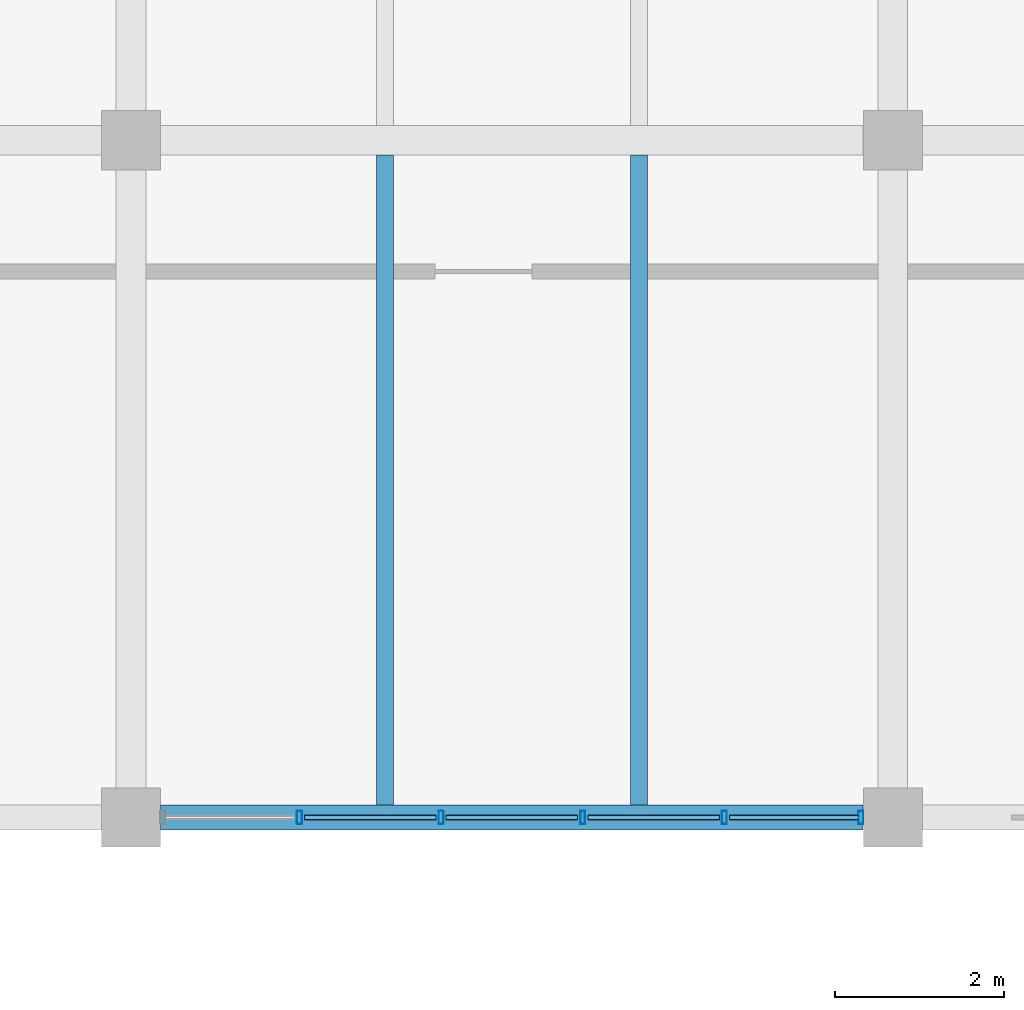
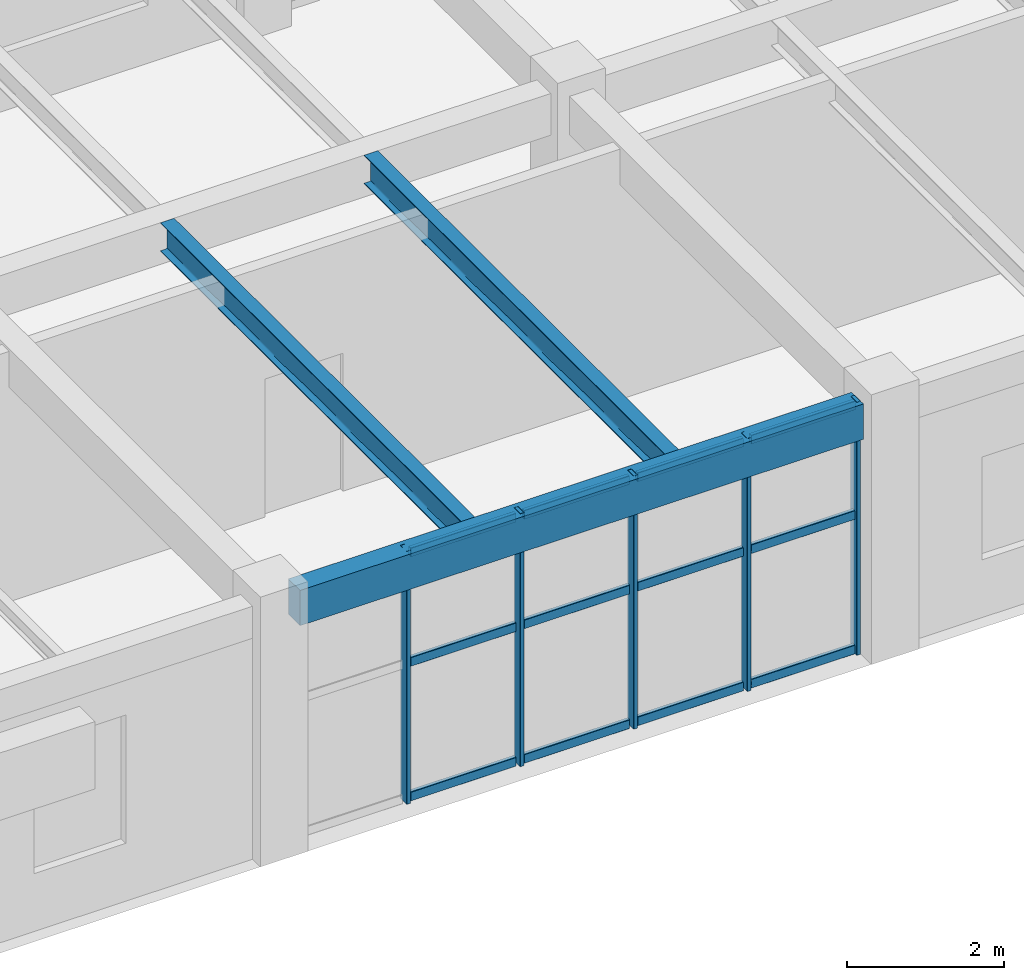
# One storey, part 85 of 128: 17 members, 3 beams, 1 element without a shape of its own.
"""IFC4 building model written with IfcOpenShell, lengths in metres."""

from ifc_helpers import new_model, si_unit, derived_unit, direction, frame, origin, origin_2d, place, context, subcontext, project, spatial, rectangle, hollow_rectangle, i_section, extrude, material, material_profile, profile_set, type_object, element, aggregate, save


model = new_model("IFC4")

# Units and contexts
model_context = context("Model", 3, precision=1e-05, world=origin(), true_north=direction((0.0, 1.0)))
body_context = subcontext(model_context, "Body", "Model", "MODEL_VIEW")
ifc_project = project(units=[si_unit("LENGTHUNIT", "METRE"), si_unit("AREAUNIT", "SQUARE_METRE"), si_unit("VOLUMEUNIT", "CUBIC_METRE"), si_unit("PLANEANGLEUNIT", "RADIAN"), si_unit("MASSUNIT", "GRAM", prefix="KILO"), derived_unit("THERMALTRANSMITTANCEUNIT", [(si_unit("MASSUNIT", "GRAM", prefix="KILO"), 1), (si_unit("TIMEUNIT", "SECOND"), -3), (si_unit("THERMODYNAMICTEMPERATUREUNIT", "KELVIN"), -1)])], contexts=[model_context])

# Site, building, storey
site_placement = place(None, origin())
site = spatial("IfcSite", under=ifc_project, at=site_placement, CompositionType="ELEMENT")
building_placement = place(site_placement, origin())
building = spatial("IfcBuilding", under=site, at=building_placement, Name="Zhenchuan Archway Interchange", CompositionType="ELEMENT")
storey_placement = place(building_placement, frame((0.0, 0.0, 14.39990234375)))
storey = spatial("IfcBuildingStorey", under=building, at=storey_placement, Name="L03", CompositionType="ELEMENT", Elevation=14.39990234375)

# Curtain wall, members
ifc_material_1 = material(Name="Anodised Aluminium", Category="aluminium")
curtain_wall_type = type_object("IfcCurtainWallType", Name="CW_UNIT_1", PredefinedType="NOTDEFINED", material=ifc_material_1)
curtain_wall_placement = place(storey_placement, origin())
curtain_wall = element("IfcCurtainWall", 1, at=curtain_wall_placement, inside=storey, type_object=curtain_wall_type, Name="Unitised curtain wall CW:L03:172", PredefinedType="NOTDEFINED")
ifc_material_profile_1 = material_profile(ifc_material_1, hollow_rectangle(XDim=0.06005859375, YDim=0.159912109375, WallThickness=0.00390625, InnerFilletRadius=0.00390625, OuterFilletRadius=0.008056640625, at=origin_2d()), Name="ALU 160x60x4")
ifc_profile_set_1 = profile_set([ifc_material_profile_1], Name="Anodised Aluminium")
member_type_1 = type_object("IfcMemberType", Name="CW_MUL_150", PredefinedType="MULLION", material=ifc_profile_set_1)
member_1_placement = place(storey_placement, frame((134.6220703125, 88.0, 0.0), z_axis=(0.0, 0.0, 1.0), x_axis=(1.0, 0.0, 0.0)))
member_1 = element("IfcMember", 2, at=member_1_placement, type_object=member_type_1, Name="CW:L03:172 mullion 0", PredefinedType="MULLION", context=body_context, shape_type="SweptSolid", body=[
    extrude(hollow_rectangle(XDim=0.06005859375, YDim=0.159912109375, WallThickness=0.00390625, InnerFilletRadius=0.00390625, OuterFilletRadius=0.008056640625, at=origin_2d()), origin(), (0.0, 0.0, 1.0), 3.940185546875),
])
member_2_placement = place(storey_placement, frame((133.00927734375, 88.0, 0.0), z_axis=(0.0, 0.0, 1.0), x_axis=(1.0, 0.0, 0.0)))
member_2 = element("IfcMember", 3, at=member_2_placement, type_object=member_type_1, Name="CW:L03:172 mullion 1", PredefinedType="MULLION", context=body_context, shape_type="SweptSolid", body=[
    extrude(hollow_rectangle(XDim=0.06005859375, YDim=0.159912109375, WallThickness=0.00390625, InnerFilletRadius=0.00390625, OuterFilletRadius=0.008056640625, at=origin_2d()), origin(), (0.0, 0.0, 1.0), 3.940185546875),
])
member_3_placement = place(storey_placement, frame((131.33642578125, 88.0, 0.0), z_axis=(0.0, 0.0, 1.0), x_axis=(1.0, 0.0, 0.0)))
member_3 = element("IfcMember", 4, at=member_3_placement, type_object=member_type_1, Name="CW:L03:172 mullion 2", PredefinedType="MULLION", context=body_context, shape_type="SweptSolid", body=[
    extrude(hollow_rectangle(XDim=0.06005859375, YDim=0.159912109375, WallThickness=0.00390625, InnerFilletRadius=0.00390625, OuterFilletRadius=0.008056640625, at=origin_2d()), origin(), (0.0, 0.0, 1.0), 3.940185546875),
])
member_4_placement = place(storey_placement, frame((129.66357421875, 88.0, 0.0), z_axis=(0.0, 0.0, 1.0), x_axis=(1.0, 0.0, 0.0)))
member_4 = element("IfcMember", 5, at=member_4_placement, type_object=member_type_1, Name="CW:L03:172 mullion 3", PredefinedType="MULLION", context=body_context, shape_type="SweptSolid", body=[
    extrude(hollow_rectangle(XDim=0.06005859375, YDim=0.159912109375, WallThickness=0.00390625, InnerFilletRadius=0.00390625, OuterFilletRadius=0.008056640625, at=origin_2d()), origin(), (0.0, 0.0, 1.0), 3.940185546875),
])
member_5_placement = place(storey_placement, frame((127.99072265625, 88.0, 0.0), z_axis=(0.0, 0.0, 1.0), x_axis=(1.0, 0.0, 0.0)))
member_5 = element("IfcMember", 6, at=member_5_placement, type_object=member_type_1, Name="CW:L03:172 mullion 4", PredefinedType="MULLION", context=body_context, shape_type="SweptSolid", body=[
    extrude(hollow_rectangle(XDim=0.06005859375, YDim=0.159912109375, WallThickness=0.00390625, InnerFilletRadius=0.00390625, OuterFilletRadius=0.008056640625, at=origin_2d()), origin(), (0.0, 0.0, 1.0), 3.940185546875),
])
ifc_material_profile_2 = material_profile(ifc_material_1, hollow_rectangle(XDim=0.06005859375, YDim=0.139892578125, WallThickness=0.00341796875, InnerFilletRadius=0.00341796875, OuterFilletRadius=0.007080078125, at=origin_2d()), Name="ALU 140x60x3.5")
ifc_profile_set_2 = profile_set([ifc_material_profile_2], Name="Anodised Aluminium")
member_type_2 = type_object("IfcMemberType", Name="CW_TRN_140", PredefinedType="USERDEFINED", material=ifc_profile_set_2)
member_6_placement = place(storey_placement, frame((134.60205078125, 88.0, 0.06005859375), z_axis=(-1.0, 0.0, 0.0), x_axis=(0.0, -1.0, 0.0)))
member_6 = element("IfcMember", 7, at=member_6_placement, type_object=member_type_2, Name="CW:L03:172 transom 0-1", ObjectType="TRANSOM", PredefinedType="USERDEFINED", context=body_context, shape_type="SweptSolid", body=[
    extrude(hollow_rectangle(XDim=0.06005859375, YDim=0.139892578125, WallThickness=0.00341796875, InnerFilletRadius=0.00341796875, OuterFilletRadius=0.007080078125, at=origin_2d()), origin(), (0.0, 0.0, 1.0), 1.532958984375),
])
member_7_placement = place(storey_placement, frame((134.60205078125, 88.0, 2.156005859375), z_axis=(-1.0, 0.0, 0.0), x_axis=(0.0, -1.0, 0.0)))
member_7 = element("IfcMember", 8, at=member_7_placement, type_object=member_type_2, Name="CW:L03:172 transom 0-2", ObjectType="TRANSOM", PredefinedType="USERDEFINED", context=body_context, shape_type="SweptSolid", body=[
    extrude(hollow_rectangle(XDim=0.06005859375, YDim=0.139892578125, WallThickness=0.00341796875, InnerFilletRadius=0.00341796875, OuterFilletRadius=0.007080078125, at=origin_2d()), origin(), (0.0, 0.0, 1.0), 1.532958984375),
])
member_8_placement = place(storey_placement, frame((134.60205078125, 88.0, 3.860107421875), z_axis=(-1.0, 0.0, 0.0), x_axis=(0.0, -1.0, 0.0)))
member_8 = element("IfcMember", 9, at=member_8_placement, type_object=member_type_2, Name="CW:L03:172 transom 0-3", ObjectType="TRANSOM", PredefinedType="USERDEFINED", context=body_context, shape_type="SweptSolid", body=[
    extrude(hollow_rectangle(XDim=0.06005859375, YDim=0.139892578125, WallThickness=0.00341796875, InnerFilletRadius=0.00341796875, OuterFilletRadius=0.007080078125, at=origin_2d()), origin(), (0.0, 0.0, 1.0), 1.532958984375),
])
member_9_placement = place(storey_placement, frame((132.94921875, 88.0, 0.06005859375), z_axis=(-1.0, 0.0, 0.0), x_axis=(0.0, -1.0, 0.0)))
member_9 = element("IfcMember", 10, at=member_9_placement, type_object=member_type_2, Name="CW:L03:172 transom 1-1", ObjectType="TRANSOM", PredefinedType="USERDEFINED", context=body_context, shape_type="SweptSolid", body=[
    extrude(hollow_rectangle(XDim=0.06005859375, YDim=0.139892578125, WallThickness=0.00341796875, InnerFilletRadius=0.00341796875, OuterFilletRadius=0.007080078125, at=origin_2d()), origin(), (0.0, 0.0, 1.0), 1.552734375),
])
member_10_placement = place(storey_placement, frame((132.94921875, 88.0, 2.156005859375), z_axis=(-1.0, 0.0, 0.0), x_axis=(0.0, -1.0, 0.0)))
member_10 = element("IfcMember", 11, at=member_10_placement, type_object=member_type_2, Name="CW:L03:172 transom 1-2", ObjectType="TRANSOM", PredefinedType="USERDEFINED", context=body_context, shape_type="SweptSolid", body=[
    extrude(hollow_rectangle(XDim=0.06005859375, YDim=0.139892578125, WallThickness=0.00341796875, InnerFilletRadius=0.00341796875, OuterFilletRadius=0.007080078125, at=origin_2d()), origin(), (0.0, 0.0, 1.0), 1.552734375),
])
member_11_placement = place(storey_placement, frame((132.94921875, 88.0, 3.860107421875), z_axis=(-1.0, 0.0, 0.0), x_axis=(0.0, -1.0, 0.0)))
member_11 = element("IfcMember", 12, at=member_11_placement, type_object=member_type_2, Name="CW:L03:172 transom 1-3", ObjectType="TRANSOM", PredefinedType="USERDEFINED", context=body_context, shape_type="SweptSolid", body=[
    extrude(hollow_rectangle(XDim=0.06005859375, YDim=0.139892578125, WallThickness=0.00341796875, InnerFilletRadius=0.00341796875, OuterFilletRadius=0.007080078125, at=origin_2d()), origin(), (0.0, 0.0, 1.0), 1.552734375),
])
member_12_placement = place(storey_placement, frame((131.2763671875, 88.0, 0.06005859375), z_axis=(-1.0, 0.0, 0.0), x_axis=(0.0, -1.0, 0.0)))
member_12 = element("IfcMember", 13, at=member_12_placement, type_object=member_type_2, Name="CW:L03:172 transom 2-1", ObjectType="TRANSOM", PredefinedType="USERDEFINED", context=body_context, shape_type="SweptSolid", body=[
    extrude(hollow_rectangle(XDim=0.06005859375, YDim=0.139892578125, WallThickness=0.00341796875, InnerFilletRadius=0.00341796875, OuterFilletRadius=0.007080078125, at=origin_2d()), origin(), (0.0, 0.0, 1.0), 1.552734375),
])
member_13_placement = place(storey_placement, frame((131.2763671875, 88.0, 2.156005859375), z_axis=(-1.0, 0.0, 0.0), x_axis=(0.0, -1.0, 0.0)))
member_13 = element("IfcMember", 14, at=member_13_placement, type_object=member_type_2, Name="CW:L03:172 transom 2-2", ObjectType="TRANSOM", PredefinedType="USERDEFINED", context=body_context, shape_type="SweptSolid", body=[
    extrude(hollow_rectangle(XDim=0.06005859375, YDim=0.139892578125, WallThickness=0.00341796875, InnerFilletRadius=0.00341796875, OuterFilletRadius=0.007080078125, at=origin_2d()), origin(), (0.0, 0.0, 1.0), 1.552734375),
])
member_14_placement = place(storey_placement, frame((131.2763671875, 88.0, 3.860107421875), z_axis=(-1.0, 0.0, 0.0), x_axis=(0.0, -1.0, 0.0)))
member_14 = element("IfcMember", 15, at=member_14_placement, type_object=member_type_2, Name="CW:L03:172 transom 2-3", ObjectType="TRANSOM", PredefinedType="USERDEFINED", context=body_context, shape_type="SweptSolid", body=[
    extrude(hollow_rectangle(XDim=0.06005859375, YDim=0.139892578125, WallThickness=0.00341796875, InnerFilletRadius=0.00341796875, OuterFilletRadius=0.007080078125, at=origin_2d()), origin(), (0.0, 0.0, 1.0), 1.552734375),
])
member_15_placement = place(storey_placement, frame((129.603515625, 88.0, 0.06005859375), z_axis=(-1.0, 0.0, 0.0), x_axis=(0.0, -1.0, 0.0)))
member_15 = element("IfcMember", 16, at=member_15_placement, type_object=member_type_2, Name="CW:L03:172 transom 3-1", ObjectType="TRANSOM", PredefinedType="USERDEFINED", context=body_context, shape_type="SweptSolid", body=[
    extrude(hollow_rectangle(XDim=0.06005859375, YDim=0.139892578125, WallThickness=0.00341796875, InnerFilletRadius=0.00341796875, OuterFilletRadius=0.007080078125, at=origin_2d()), origin(), (0.0, 0.0, 1.0), 1.552734375),
])
member_16_placement = place(storey_placement, frame((129.603515625, 88.0, 2.156005859375), z_axis=(-1.0, 0.0, 0.0), x_axis=(0.0, -1.0, 0.0)))
member_16 = element("IfcMember", 17, at=member_16_placement, type_object=member_type_2, Name="CW:L03:172 transom 3-2", ObjectType="TRANSOM", PredefinedType="USERDEFINED", context=body_context, shape_type="SweptSolid", body=[
    extrude(hollow_rectangle(XDim=0.06005859375, YDim=0.139892578125, WallThickness=0.00341796875, InnerFilletRadius=0.00341796875, OuterFilletRadius=0.007080078125, at=origin_2d()), origin(), (0.0, 0.0, 1.0), 1.552734375),
])
member_17_placement = place(storey_placement, frame((129.603515625, 88.0, 3.860107421875), z_axis=(-1.0, 0.0, 0.0), x_axis=(0.0, -1.0, 0.0)))
member_17 = element("IfcMember", 18, at=member_17_placement, type_object=member_type_2, Name="CW:L03:172 transom 3-3", ObjectType="TRANSOM", PredefinedType="USERDEFINED", context=body_context, shape_type="SweptSolid", body=[
    extrude(hollow_rectangle(XDim=0.06005859375, YDim=0.139892578125, WallThickness=0.00341796875, InnerFilletRadius=0.00341796875, OuterFilletRadius=0.007080078125, at=origin_2d()), origin(), (0.0, 0.0, 1.0), 1.552734375),
])
aggregate(curtain_wall, [member_1, member_2, member_3, member_4, member_5, member_6, member_7, member_8, member_9, member_10, member_11, member_12, member_13, member_14, member_15, member_16, member_17])

# Beams
ifc_material_2 = material(Name="Steel Q355", Category="steel")
ifc_material_profile_3 = material_profile(ifc_material_2, i_section(OverallWidth=0.199951171875, OverallDepth=0.449951171875, WebThickness=0.009033203125, FlangeThickness=0.013916015625, FilletRadius=0.01806640625, at=origin_2d()), Name="HN 450x200")
ifc_profile_set_3 = profile_set([ifc_material_profile_3], Name="Steel Q355")
beam_type_1 = type_object("IfcBeamType", Name="JST_STL_HN450", PredefinedType="JOIST", material=ifc_profile_set_3)
for number, where, z_axis, x_axis, name in (
    (19, (129.0, 88.14990234375, 3.715087890625), (0.0, 1.0, 0.0), (-1.0, 0.0, 0.0), "Secondary joist 15-16/M-N #1 (L03)"),
    (20, (132.0, 88.14990234375, 3.715087890625), (0.0, 1.0, 0.0), (-1.0, 0.0, 0.0), "Secondary joist 15-16/M-N #2 (L03)"),
):
    element("IfcBeam", number, at=place(storey_placement, frame(where, z_axis=z_axis, x_axis=x_axis)), inside=storey, type_object=beam_type_1, Name=name, PredefinedType="JOIST", context=body_context, shape_type="SweptSolid", body=[
        extrude(i_section(OverallWidth=0.199951171875, OverallDepth=0.449951171875, WebThickness=0.009033203125, FlangeThickness=0.013916015625, FilletRadius=0.01806640625, at=origin_2d()), origin(), (0.0, 0.0, 1.0), 7.675048828125),
    ])
ifc_material_3 = material(Name="Concrete C40", Category="concrete")
ifc_material_profile_4 = material_profile(ifc_material_3, rectangle(XDim=0.300048828125, YDim=0.550048828125, at=origin_2d()), Name="RC 300x550")
ifc_profile_set_4 = profile_set([ifc_material_profile_4], Name="Concrete C40")
beam_type_2 = type_object("IfcBeamType", Name="SP_RC_300x550", PredefinedType="SPANDREL", material=ifc_profile_set_4)
beam_placement = place(storey_placement, frame((126.35009765625, 88.0, 3.6650390625), z_axis=(1.0, 0.0, 0.0), x_axis=(0.0, 1.0, 0.0)))
element("IfcBeam", 21, at=beam_placement, inside=storey, type_object=beam_type_2, Name="Beam M:15-16 (L03)", PredefinedType="SPANDREL", context=body_context, shape_type="SweptSolid", body=[
    extrude(rectangle(XDim=0.300048828125, YDim=0.550048828125, at=origin_2d()), origin(), (0.0, 0.0, 1.0), 8.2998046875),
])

save(model, "model.ifc")
